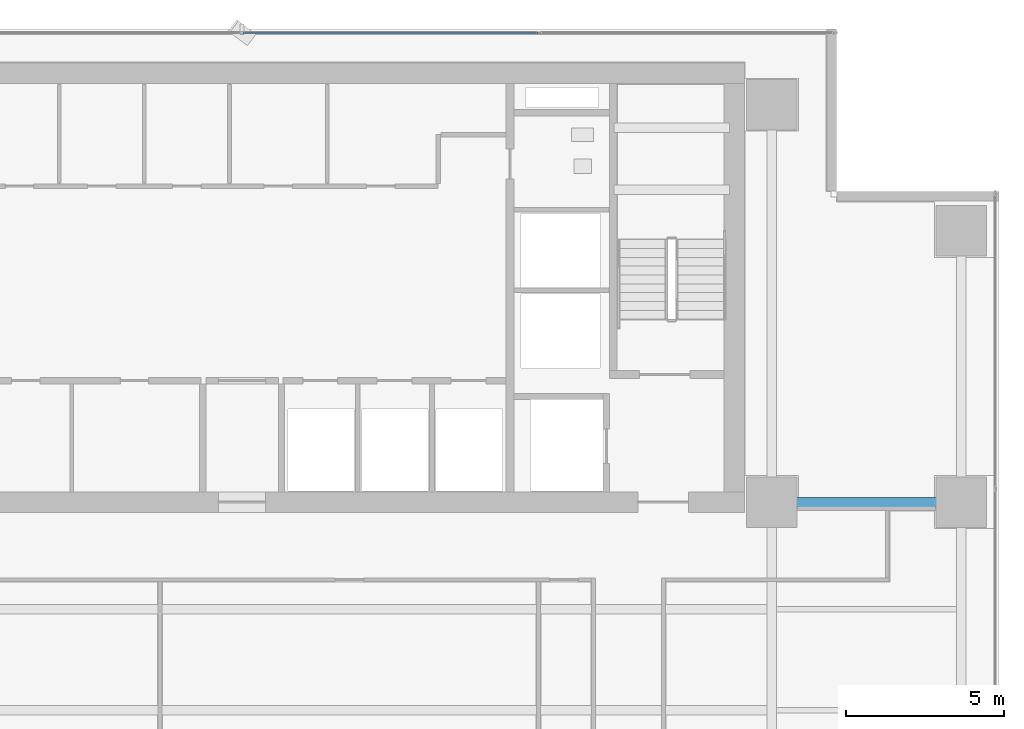
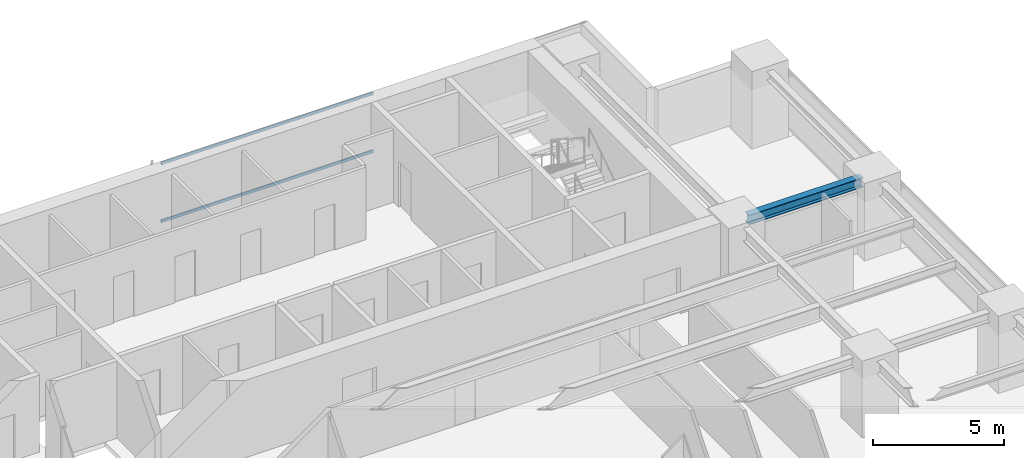
# One storey, part 17 of 27: 2 members, 1 beam, 1 element without a shape of its own.
"""IFC4 building model written with IfcOpenShell, lengths in metres."""

from ifc_helpers import new_model, si_unit, direction, frame, origin, origin_2d, place, context, subcontext, project, spatial, hollow_rectangle, i_section, extrude, source, transform, mapped, material, layer, layer_set, material_profile, profile_set, type_object, element, aggregate, save


model = new_model("IFC4")

# Units and contexts
model_context = context("Model", 3, precision=1e-05, world=origin(), true_north=direction((0.0, 1.0)))
body_context = subcontext(model_context, "Body", "Model", "MODEL_VIEW")
ifc_project = project(units=[si_unit("LENGTHUNIT", "METRE"), si_unit("AREAUNIT", "SQUARE_METRE"), si_unit("VOLUMEUNIT", "CUBIC_METRE"), si_unit("PLANEANGLEUNIT", "RADIAN"), si_unit("MASSUNIT", "GRAM", prefix="KILO")], contexts=[model_context])

# Site, building, storey
site_placement = place(None, origin())
site = spatial("IfcSite", under=ifc_project, at=site_placement, CompositionType="ELEMENT")
building_placement = place(site_placement, origin())
building = spatial("IfcBuilding", under=site, at=building_placement, Name="Sumidabori Civic Tower", CompositionType="ELEMENT")
storey_placement = place(building_placement, frame((0.0, 0.0, 142.39990234375)))
storey = spatial("IfcBuildingStorey", under=building, at=storey_placement, Name="L36", CompositionType="ELEMENT", Elevation=142.39990234375)

# Beam
ifc_material_1 = material(Name="Steel SN490", Category="steel")
ifc_material_profile_1 = material_profile(ifc_material_1, i_section(OverallWidth=0.300048828125, OverallDepth=0.449951171875, WebThickness=0.013916015625, FlangeThickness=0.02587890625, at=origin_2d()), Name="HE 450 B")
ifc_profile_set_1 = profile_set([ifc_material_profile_1], Name="Steel SN490")
beam_type = type_object("IfcBeamType", Name="BM-GIRD-450", PredefinedType="BEAM", material=ifc_profile_set_1)
shared_shape_1 = source(origin(), body_context, "Body", "SweptSolid", [
    extrude(i_section(OverallWidth=0.300048828125, OverallDepth=0.449951171875, WebThickness=0.013916015625, FlangeThickness=0.02587890625, at=origin_2d()), origin(), (0.0, 0.0, 1.0), 5.0400390625),
])
beam_placement = place(storey_placement, frame((17.280029296875, 10.199951171875, 3.155029296875), z_axis=(1.0, 0.0, 0.0), x_axis=(0.0, 1.0, 0.0)))
element("IfcBeam", 1, at=beam_placement, inside=storey, type_object=beam_type, Name="Primary Girder L36 GX-18", PredefinedType="BEAM", context=body_context, shape_type="MappedRepresentation", body=[
    mapped(shared_shape_1, transform((0.0, 0.0, 0.0), x_axis=(1.0, 0.0, 0.0), y_axis=(0.0, 1.0, 0.0), z_axis=(0.0, 0.0, 1.0), scale=1.0)),
])

# Curtain wall, members
ifc_material_2 = material(Name="Anodised Bronze Aluminium AW-6063-T6", Category="aluminium")
ifc_layer = layer(ifc_material_2, 0.179931640625, Name="Anodised Bronze Aluminium AW-6063-T6")
ifc_layer_set = layer_set([ifc_layer], Name="Anodised Bronze Aluminium AW-6063-T6")
curtain_wall_type = type_object("IfcCurtainWallType", Name="CW-SYS-3", PredefinedType="NOTDEFINED", material=ifc_layer_set)
curtain_wall_placement = place(storey_placement, origin())
curtain_wall = element("IfcCurtainWall", 2, at=curtain_wall_placement, inside=storey, type_object=curtain_wall_type, Name="Curtain Wall CW:L36:R07", PredefinedType="NOTDEFINED")
ifc_material_profile_2 = material_profile(ifc_material_2, hollow_rectangle(XDim=0.06005859375, YDim=0.1298828125, WallThickness=0.0048828125, at=origin_2d()), Name="ALU TRANSOM 130x60")
ifc_profile_set_2 = profile_set([ifc_material_profile_2], Name="Anodised Bronze Aluminium AW-6063-T6")
member_type = type_object("IfcMemberType", Name="CW-TRN-130", PredefinedType="USERDEFINED", material=ifc_profile_set_2)
shared_shape_2 = source(origin(), body_context, "Body", "SweptSolid", [
    extrude(hollow_rectangle(XDim=0.06005859375, YDim=0.1298828125, WallThickness=0.0048828125, at=origin_2d()), origin(), (0.0, 0.0, 1.0), 9.344970703125),
])
member_1_placement = place(storey_placement, frame((9.37744140625, 25.080078125, 0.030029296875), z_axis=(-1.0, 0.0, 0.0), x_axis=(0.0, -1.0, 0.0)))
member_1 = element("IfcMember", 3, at=member_1_placement, type_object=member_type, Name="CW-3 transom 2.1", ObjectType="TRANSOM", PredefinedType="USERDEFINED", context=body_context, shape_type="MappedRepresentation", body=[
    mapped(shared_shape_2, transform((0.0, 0.0, 0.0), x_axis=(1.0, 0.0, 0.0), y_axis=(0.0, 1.0, 0.0), z_axis=(0.0, 0.0, 1.0), scale=1.0)),
])
member_2_placement = place(storey_placement, frame((9.37744140625, 25.080078125, 2.72998046875), z_axis=(-1.0, 0.0, 0.0), x_axis=(0.0, -1.0, 0.0)))
member_2 = element("IfcMember", 4, at=member_2_placement, type_object=member_type, Name="CW-3 transom 2.2", ObjectType="TRANSOM", PredefinedType="USERDEFINED", context=body_context, shape_type="MappedRepresentation", body=[
    mapped(shared_shape_2, transform((0.0, 0.0, 0.0), x_axis=(1.0, 0.0, 0.0), y_axis=(0.0, 1.0, 0.0), z_axis=(0.0, 0.0, 1.0), scale=1.0)),
])
aggregate(curtain_wall, [member_1, member_2])

save(model, "model.ifc")
